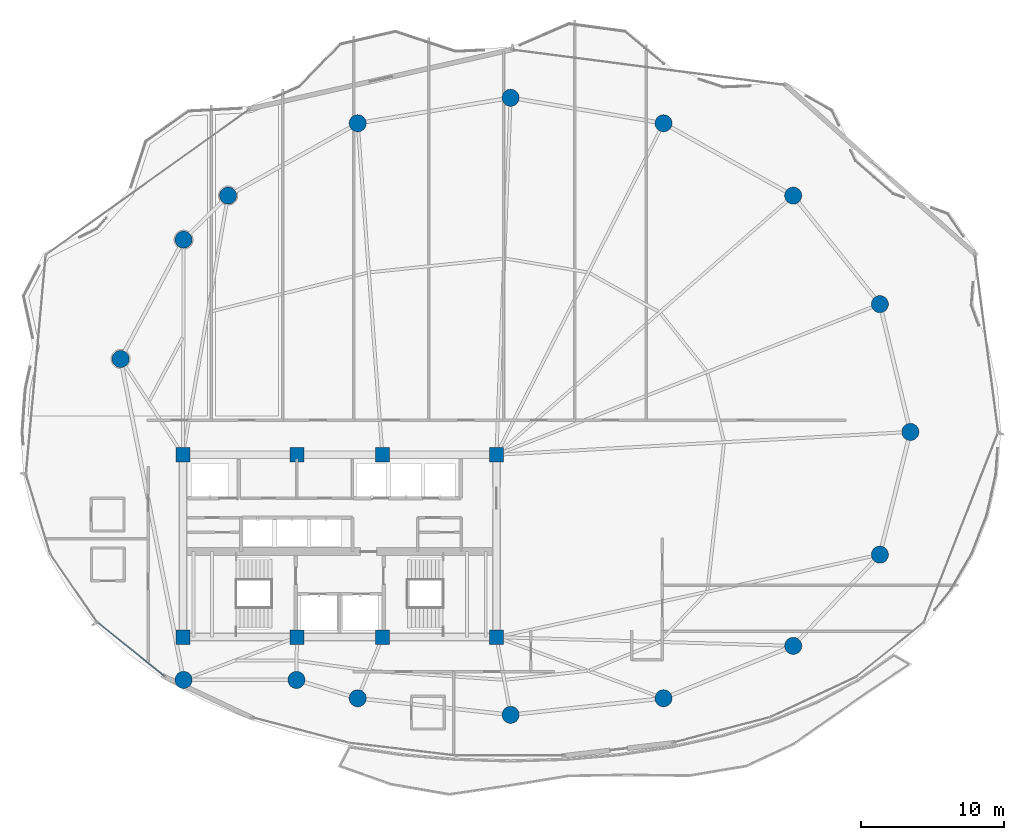
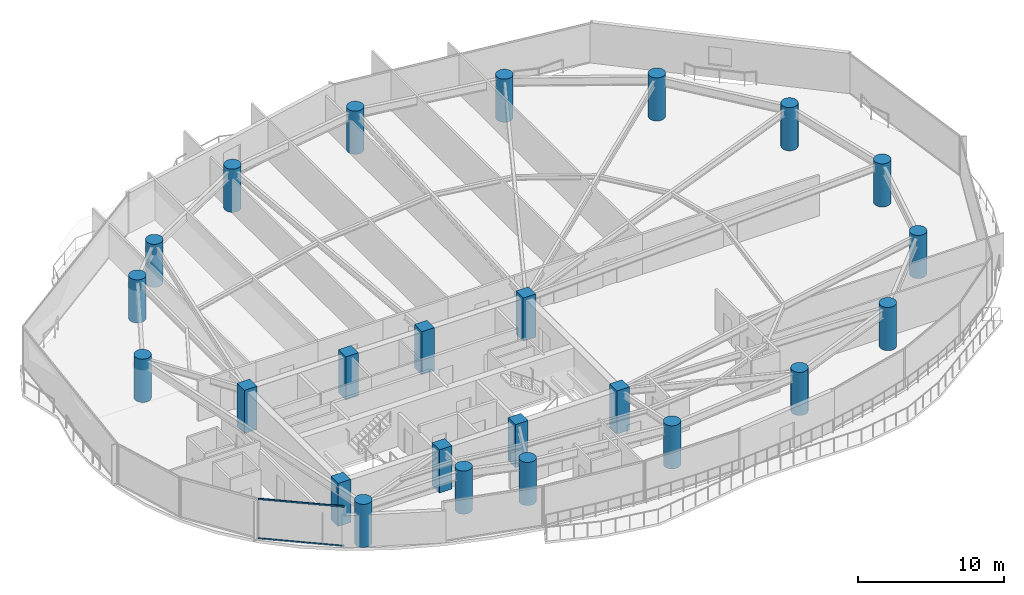
# One storey, part 1 of 33: 24 columns, 2 members, 1 element without a shape of its own.
"""IFC4 building model written with IfcOpenShell, lengths in metres."""

import ifcopenshell
import ifcopenshell.guid

model = None  # the IFC model being written
_history = None  # IfcOwnerHistory: only IFC2X3 demands one
_inside = {}  # id of a spatial element -> (the spatial element, [elements in it])
_under = {}  # id of a project, library or spatial element -> (it, [spatial elements below it])
_declared = {}  # id of a project -> (the project, [libraries it declares])
_typed = {}  # id of a type object -> (the type object, [elements of that type])
_made_of = {}  # id of a material, layer set ... -> (it, [elements and type objects made of it])


def new_model(schema):
    """Start an empty IFC model of exactly this schema.

    Asked for "IFC4X3", IfcOpenShell would pick the latest addendum, in which some entities
    have other attributes; the version numbers below select the first issue.
    IFC2X3 requires an IfcOwnerHistory on every rooted entity: one is made here for all.
    """
    global model, _history
    if schema == "IFC4X3":
        model = ifcopenshell.file(schema_version=(4, 3, 0, 0))
    else:
        model = ifcopenshell.file(schema=schema)
    _inside.clear()
    _under.clear()
    _declared.clear()
    _typed.clear()
    _made_of.clear()
    _history = None
    if model.schema == "IFC2X3":
        org = make("IfcOrganization", Name="unknown")
        user = make(
            "IfcPersonAndOrganization",
            ThePerson=make("IfcPerson", FamilyName="unknown"),
            TheOrganization=org,
        )
        app = make(
            "IfcApplication",
            ApplicationDeveloper=org,
            Version="unknown",
            ApplicationFullName="unknown",
            ApplicationIdentifier="unknown",
        )
        _history = make(
            "IfcOwnerHistory",
            OwningUser=user,
            OwningApplication=app,
            ChangeAction="ADDED",
            CreationDate=0,
        )
    return model


def make(cls, **values):
    """One entity of the class cls with the attributes given. An attribute that is None is left unset."""
    return model.create_entity(
        cls, **{name: value for name, value in values.items() if value is not None}
    )


def rooted(cls, **values):
    """An entity with a GlobalId (a new one), such as an element, a storey or a relation."""
    return make(cls, GlobalId=ifcopenshell.guid.new(), OwnerHistory=_history, **values)


def si_unit(unit_type, name, prefix=None):
    """IfcSIUnit, for example si_unit("LENGTHUNIT", "METRE", prefix="MILLI")."""
    return make("IfcSIUnit", UnitType=unit_type, Prefix=prefix, Name=name)


def assignment(units):
    """IfcUnitAssignment: the units of a project."""
    return None if units is None else make("IfcUnitAssignment", Units=units)


def point(xyz):
    """IfcCartesianPoint."""
    return None if xyz is None else make("IfcCartesianPoint", Coordinates=xyz)


def direction(xyz):
    """IfcDirection."""
    return None if xyz is None else make("IfcDirection", DirectionRatios=xyz)


def frame(location, z_axis=None, x_axis=None):
    """IfcAxis2Placement3D, a coordinate frame: its origin and axes. An axis left out is left unset."""
    return make(
        "IfcAxis2Placement3D",
        Location=point(location),
        Axis=direction(z_axis),
        RefDirection=direction(x_axis),
    )


def frame_2d(location, x_axis=None):
    """IfcAxis2Placement2D, a coordinate frame in the plane: its origin and x axis."""
    return make(
        "IfcAxis2Placement2D", Location=point(location), RefDirection=direction(x_axis)
    )


def origin():
    """The frame at (0, 0, 0) with its axes left unset."""
    return frame((0.0, 0.0, 0.0))


def origin_2d():
    """The frame at (0, 0) in the plane with its x axis left unset."""
    return frame_2d((0.0, 0.0))


def place(relative_to, where):
    """IfcLocalPlacement: puts the frame where relative to a parent placement (None: the world)."""
    return make(
        "IfcLocalPlacement", PlacementRelTo=relative_to, RelativePlacement=where
    )


def context(
    kind, dimensions, precision=None, world=None, true_north=None, identifier=None
):
    """IfcGeometricRepresentationContext, for example the 3D "Model" context."""
    return make(
        "IfcGeometricRepresentationContext",
        ContextIdentifier=identifier,
        ContextType=kind,
        CoordinateSpaceDimension=dimensions,
        Precision=precision,
        WorldCoordinateSystem=world,
        TrueNorth=true_north,
    )


def subcontext(parent, identifier, kind, view, scale=None):
    """IfcGeometricRepresentationSubContext, for example "Body" below "Model"."""
    return make(
        "IfcGeometricRepresentationSubContext",
        ContextIdentifier=identifier,
        ContextType=kind,
        ParentContext=parent,
        TargetScale=scale,
        TargetView=view,
    )


def project(units=None, contexts=None):
    """IfcProject with its units and contexts."""
    return rooted(
        "IfcProject",
        Name="project",
        RepresentationContexts=contexts,
        UnitsInContext=assignment(units),
    )


def spatial(cls, under=None, at=None, **own):
    """A site, building, storey or space (cls), placed at a placement, below another one or the project."""
    s = rooted(cls, ObjectPlacement=at, **own)
    if under is not None:
        _under.setdefault(under.id(), (under, []))[1].append(s)
    return s


def profile(cls, at=None, kind="AREA", **sizes):
    """A parametric profile (cls). Its sizes go by their IFC names, for example OverallWidth=200.0."""
    return make(cls, ProfileType=kind, Position=at, **sizes)


def rectangle(**sizes):
    """IfcRectangleProfileDef."""
    return profile("IfcRectangleProfileDef", **sizes)


def hollow_rectangle(**sizes):
    """IfcRectangleHollowProfileDef."""
    return profile("IfcRectangleHollowProfileDef", **sizes)


def circle(**sizes):
    """IfcCircleProfileDef."""
    return profile("IfcCircleProfileDef", **sizes)


def extrude(swept, where, along, depth):
    """IfcExtrudedAreaSolid: the profile swept, set in the frame where, extruded along a direction by depth."""
    return make(
        "IfcExtrudedAreaSolid",
        SweptArea=swept,
        Position=where,
        ExtrudedDirection=direction(along),
        Depth=depth,
    )


def shape(context_of_items, identifier, shape_type, items):
    """IfcShapeRepresentation: the items that make up one representation, for example the "Body"."""
    return make(
        "IfcShapeRepresentation",
        ContextOfItems=context_of_items,
        RepresentationIdentifier=identifier,
        RepresentationType=shape_type,
        Items=items,
    )


def material(Name=None, Category=None):
    """IfcMaterial."""
    return make("IfcMaterial", Name=Name, Category=Category)


def layer(
    of_material, thickness, ventilated=None, Name=None, Category=None, Priority=None
):
    """IfcMaterialLayer: one layer of a wall or slab, of a material (None: an air gap)."""
    return make(
        "IfcMaterialLayer",
        Material=of_material,
        LayerThickness=thickness,
        IsVentilated=ventilated,
        Name=Name,
        Category=Category,
        Priority=Priority,
    )


def layer_set(layers, Name=None):
    """IfcMaterialLayerSet."""
    return make("IfcMaterialLayerSet", MaterialLayers=layers, LayerSetName=Name)


def material_profile(
    of_material, cross_section, Name=None, Category=None, Priority=None
):
    """IfcMaterialProfile: a cross section and its material."""
    return make(
        "IfcMaterialProfile",
        Name=Name,
        Material=of_material,
        Profile=cross_section,
        Priority=Priority,
        Category=Category,
    )


def profile_set(profiles, Name=None, composite=None):
    """IfcMaterialProfileSet."""
    return make(
        "IfcMaterialProfileSet",
        Name=Name,
        MaterialProfiles=profiles,
        CompositeProfile=composite,
    )


def made_of(thing, what):
    """Note that an element or type object is made of a material, layer set ...; save() writes the relation."""
    if what is not None:
        _made_of.setdefault(what.id(), (what, []))[1].append(thing)
    return thing


def type_object(cls, material=None, **own):
    """A type object (cls), such as IfcWallType, which elements share."""
    return made_of(rooted(cls, **own), material)


def element(
    cls,
    number,
    at=None,
    inside=None,
    cuts=None,
    type_object=None,
    material=None,
    context=None,
    identifier="Body",
    shape_type=None,
    held_by="IfcProductDefinitionShape",
    body=None,
    shapes=None,
    **own,
):
    """One element of the class cls, such as IfcWall. Its Tag is "e" and its number.

    at: its placement. inside: the storey or other place that contains it. cuts: it is an
    opening in that element (IfcRelVoidsElement). A single representation is given by context,
    identifier, shape_type and body (its items); several are given by shapes. held_by: the class
    of the entity that holds the representations. save() writes the other relations.
    """
    e = rooted(cls, Tag="e%d" % number, ObjectPlacement=at, **own)
    if body is not None:
        shapes = [shape(context, identifier, shape_type, body)]
    if shapes is not None:
        e.Representation = make(held_by, Representations=shapes)
    if inside is not None:
        _inside.setdefault(inside.id(), (inside, []))[1].append(e)
    if cuts is not None:
        rooted(
            "IfcRelVoidsElement", RelatingBuildingElement=cuts, RelatedOpeningElement=e
        )
    if type_object is not None:
        _typed.setdefault(type_object.id(), (type_object, []))[1].append(e)
    return made_of(e, material)


def aggregate(whole, parts):
    """IfcRelAggregates: a whole, such as a stair, and the parts it consists of."""
    return rooted("IfcRelAggregates", RelatingObject=whole, RelatedObjects=parts)


def save(model, path):
    """Write the relations noted so far, then the file.

    IfcRelAggregates (storeys below a building ...), IfcRelContainedInSpatialStructure (elements
    in a storey), IfcRelDefinesByType, IfcRelAssociatesMaterial and IfcRelDeclares: one each for
    every whole, place, type object, material and project.
    """
    for whole, parts in _under.values():
        aggregate(whole, parts)
    for where, things in _inside.values():
        rooted(
            "IfcRelContainedInSpatialStructure",
            RelatedElements=things,
            RelatingStructure=where,
        )
    for kind, things in _typed.values():
        rooted("IfcRelDefinesByType", RelatedObjects=things, RelatingType=kind)
    for what, things in _made_of.values():
        rooted("IfcRelAssociatesMaterial", RelatedObjects=things, RelatingMaterial=what)
    for by, libraries in _declared.values():
        rooted("IfcRelDeclares", RelatingContext=by, RelatedDefinitions=libraries)
    model.write(path)


model = new_model("IFC4")

# Units and contexts
model_context = context("Model", 3, precision=1e-05, world=origin(), true_north=direction((0.0, 1.0)))
body_context = subcontext(model_context, "Body", "Model", "MODEL_VIEW")
ifc_project = project(units=[si_unit("LENGTHUNIT", "METRE"), si_unit("AREAUNIT", "SQUARE_METRE"), si_unit("VOLUMEUNIT", "CUBIC_METRE"), si_unit("PLANEANGLEUNIT", "RADIAN"), si_unit("MASSUNIT", "GRAM", prefix="KILO")], contexts=[model_context])

# Site, building, storey
site_placement = place(None, origin())
site = spatial("IfcSite", under=ifc_project, at=site_placement, CompositionType="ELEMENT")
building_placement = place(site_placement, origin())
building = spatial("IfcBuilding", under=site, at=building_placement, Name="Kazevale Care Tower and Concert Hall", CompositionType="ELEMENT")
storey_placement = place(building_placement, frame((0.0, 0.0, 153.0)))
storey = spatial("IfcBuildingStorey", under=building, at=storey_placement, Name="L40", CompositionType="ELEMENT", Elevation=153.0)

# Columns
ifc_material_1 = material(Name="Concrete C60", Category="concrete")
ifc_material_profile_1 = material_profile(ifc_material_1, rectangle(XDim=1.0, YDim=1.0, at=origin_2d()), Name="RC-SQ1000")
ifc_profile_set_1 = profile_set([ifc_material_profile_1], Name="Concrete C60")
column_type_1 = type_object("IfcColumnType", Name="Core Column SQ1000 C60", PredefinedType="COLUMN", material=ifc_profile_set_1)
for number, where, z_axis, x_axis, name in (
    (1, (22.0, 23.60009765625, 0.0), (0.0, 0.0, 1.0), (1.0, 0.0, 0.0), "col:L40:CC-01"),
    (2, (30.0, 23.60009765625, 0.0), (0.0, 0.0, 1.0), (1.0, 0.0, 0.0), "col:L40:CC-02"),
    (3, (36.0, 23.60009765625, 0.0), (0.0, 0.0, 1.0), (1.0, 0.0, 0.0), "col:L40:CC-03"),
    (4, (44.0, 23.60009765625, 0.0), (0.0, 0.0, 1.0), (1.0, 0.0, 0.0), "col:L40:CC-04"),
    (5, (44.0, 36.39990234375, 0.0), (0.0, 0.0, 1.0), (1.0, 0.0, 0.0), "col:L40:CC-05"),
    (6, (36.0, 36.39990234375, 0.0), (0.0, 0.0, 1.0), (1.0, 0.0, 0.0), "col:L40:CC-06"),
    (7, (30.0, 36.39990234375, 0.0), (0.0, 0.0, 1.0), (1.0, 0.0, 0.0), "col:L40:CC-07"),
    (8, (22.0, 36.39990234375, 0.0), (0.0, 0.0, 1.0), (1.0, 0.0, 0.0), "col:L40:CC-08"),
):
    element("IfcColumn", number, at=place(storey_placement, frame(where, z_axis=z_axis, x_axis=x_axis)), inside=storey, type_object=column_type_1, Name=name, PredefinedType="COLUMN", context=body_context, shape_type="SweptSolid", body=[
        extrude(rectangle(XDim=1.0, YDim=1.0, at=origin_2d()), origin(), (0.0, 0.0, 1.0), 3.60009765625),
    ])
ifc_material_profile_2 = material_profile(ifc_material_1, circle(Radius=0.60009765625, at=origin_2d()), Name="RC-CIR1200")
ifc_profile_set_2 = profile_set([ifc_material_profile_2], Name="Concrete C60")
column_type_2 = type_object("IfcColumnType", Name="Perimeter Column CIR1200 C60", PredefinedType="COLUMN", material=ifc_profile_set_2)
for number, where, z_axis, x_axis, name in (
    (9, (73.050048828125, 38.0, 0.0), (0.0, 0.0, 1.0), (1.0, 0.0, 0.0), "col:L40:PC-01"),
    (10, (70.909912109375, 46.969970703125, 0.0), (0.0, 0.0, 1.0), (1.0, 0.0, 0.0), "col:L40:PC-02"),
    (11, (64.830078125, 54.580078125, 0.0), (0.0, 0.0, 1.0), (1.0, 0.0, 0.0), "col:L40:PC-03"),
    (12, (55.72998046875, 59.659912109375, 0.0), (0.0, 0.0, 1.0), (1.0, 0.0, 0.0), "col:L40:PC-04"),
    (13, (45.0, 61.449951171875, 0.0), (0.0, 0.0, 1.0), (1.0, 0.0, 0.0), "col:L40:PC-05"),
    (14, (34.27001953125, 59.659912109375, 0.0), (0.0, 0.0, 1.0), (1.0, 0.0, 0.0), "col:L40:PC-06"),
    (15, (25.169921875, 54.580078125, 0.0), (0.0, 0.0, 1.0), (1.0, 0.0, 0.0), "col:L40:PC-07"),
    (16, (22.050048828125, 51.489990234375, 0.0), (0.0, 0.0, 1.0), (1.0, 0.0, 0.0), "col:L40:PC-08"),
    (17, (17.6298828125, 43.1201171875, 0.0), (0.0, 0.0, 1.0), (1.0, 0.0, 0.0), "col:L40:PC-09"),
    (18, (22.050048828125, 20.60009765625, 0.0), (0.0, 0.0, 1.0), (1.0, 0.0, 0.0), "col:L40:PC-10"),
    (19, (29.969970703125, 20.60009765625, 0.0), (0.0, 0.0, 1.0), (1.0, 0.0, 0.0), "col:L40:PC-11"),
    (20, (34.27001953125, 19.31005859375, 0.0), (0.0, 0.0, 1.0), (1.0, 0.0, 0.0), "col:L40:PC-12"),
    (21, (45.0, 18.14990234375, 0.0), (0.0, 0.0, 1.0), (1.0, 0.0, 0.0), "col:L40:PC-13"),
    (22, (55.72998046875, 19.31005859375, 0.0), (0.0, 0.0, 1.0), (1.0, 0.0, 0.0), "col:L40:PC-14"),
    (23, (64.830078125, 22.989990234375, 0.0), (0.0, 0.0, 1.0), (1.0, 0.0, 0.0), "col:L40:PC-15"),
    (24, (70.909912109375, 29.389892578125, 0.0), (0.0, 0.0, 1.0), (1.0, 0.0, 0.0), "col:L40:PC-16"),
):
    element("IfcColumn", number, at=place(storey_placement, frame(where, z_axis=z_axis, x_axis=x_axis)), inside=storey, type_object=column_type_2, Name=name, PredefinedType="COLUMN", context=body_context, shape_type="SweptSolid", body=[
        extrude(circle(Radius=0.60009765625, at=origin_2d()), origin(), (0.0, 0.0, 1.0), 3.60009765625),
    ])

# Curtain wall, members
ifc_material_2 = material(Name="Aluminium 6063-T6 and Low-E Glass", Category="aluminium")
ifc_layer = layer(ifc_material_2, 0.179931640625)
ifc_layer_set = layer_set([ifc_layer], Name="Aluminium 6063-T6 and Low-E Glass")
curtain_wall_type = type_object("IfcCurtainWallType", Name="Sheltered Concave Balcony Curtain Wall CW-5", PredefinedType="NOTDEFINED", material=ifc_layer_set)
curtain_wall_placement = place(storey_placement, origin())
curtain_wall = element("IfcCurtainWall", 25, at=curtain_wall_placement, inside=storey, type_object=curtain_wall_type, Name="cw:L40:f10", PredefinedType="NOTDEFINED")
ifc_material_3 = material(Name="Aluminium 6063-T6", Category="aluminium")
ifc_material_profile_3 = material_profile(ifc_material_3, hollow_rectangle(XDim=0.074951171875, YDim=0.1201171875, WallThickness=0.00390625, at=origin_2d()), Name="ALU75x120x4")
ifc_profile_set_3 = profile_set([ifc_material_profile_3], Name="Aluminium 6063-T6")
member_type = type_object("IfcMemberType", Name="CW-5 Transom ALU75x120x4", PredefinedType="USERDEFINED", material=ifc_profile_set_3)
member_1_placement = place(storey_placement, frame((20.711669921875, 20.85009765625, 0.03759765625), z_axis=(-0.779097461373, 0.626902819966, 0.0), x_axis=(-0.626902819966, -0.779097461373, 0.0)))
member_1 = element("IfcMember", 26, at=member_1_placement, type_object=member_type, Name="CW-5 transom 1.1", ObjectType="TRANSOM", PredefinedType="USERDEFINED", context=body_context, shape_type="SweptSolid", body=[
    extrude(hollow_rectangle(XDim=0.074951171875, YDim=0.1201171875, WallThickness=0.00390625, at=origin_2d()), origin(), (0.0, 0.0, 1.0), 5.96728515625),
])
member_2_placement = place(storey_placement, frame((20.711669921875, 20.85009765625, 3.322509765625), z_axis=(-0.779097461373, 0.626902819966, 0.0), x_axis=(-0.626902819966, -0.779097461373, 0.0)))
member_2 = element("IfcMember", 27, at=member_2_placement, type_object=member_type, Name="CW-5 transom 1.2", ObjectType="TRANSOM", PredefinedType="USERDEFINED", context=body_context, shape_type="SweptSolid", body=[
    extrude(hollow_rectangle(XDim=0.074951171875, YDim=0.1201171875, WallThickness=0.00390625, at=origin_2d()), origin(), (0.0, 0.0, 1.0), 5.96728515625),
])
aggregate(curtain_wall, [member_1, member_2])

save(model, "model.ifc")
